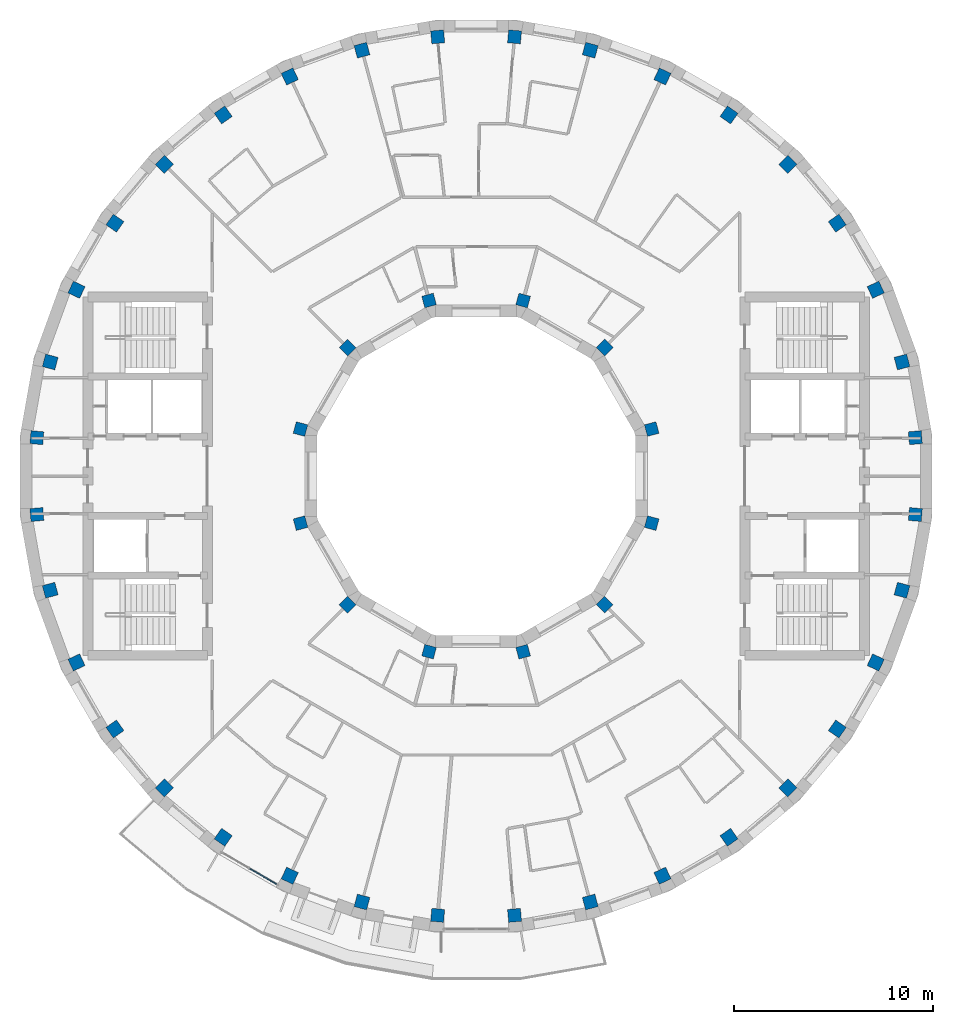
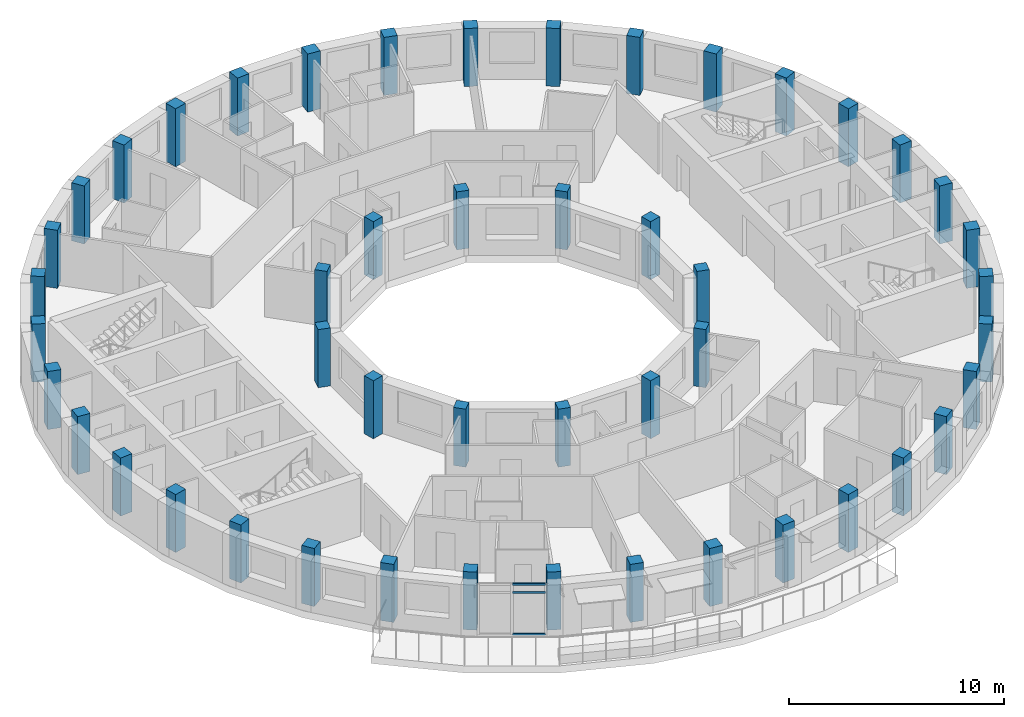
# One storey, part 1 of 12: 48 columns, 3 members, 1 element without a shape of its own.
"""IFC4 building model written with IfcOpenShell, lengths in metres."""

from ifc_helpers import new_model, si_unit, direction, frame, origin, origin_2d, place, context, subcontext, project, spatial, rectangle, extrude, material, layer, layer_set, material_profile, profile_set, type_object, element, aggregate, save


model = new_model("IFC4")

# Units and contexts
model_context = context("Model", 3, precision=1e-05, world=origin(), true_north=direction((0.0, 1.0)))
body_context = subcontext(model_context, "Body", "Model", "MODEL_VIEW")
ifc_project = project(units=[si_unit("LENGTHUNIT", "METRE"), si_unit("AREAUNIT", "SQUARE_METRE"), si_unit("VOLUMEUNIT", "CUBIC_METRE"), si_unit("PLANEANGLEUNIT", "RADIAN"), si_unit("MASSUNIT", "GRAM", prefix="KILO")], contexts=[model_context])

# Site, building, storey
site_placement = place(None, origin())
site = spatial("IfcSite", under=ifc_project, at=site_placement, CompositionType="ELEMENT")
building_placement = place(site_placement, origin())
building = spatial("IfcBuilding", under=site, at=building_placement, Name="Saqina Gate Tower", CompositionType="ELEMENT")
storey_placement = place(building_placement, frame((0.0, 0.0, 269.300048828125)))
storey = spatial("IfcBuildingStorey", under=building, at=storey_placement, Name="L77", CompositionType="ELEMENT", Elevation=269.300048828125)

# Columns
ifc_material_1 = material(Name="Concrete C60/75", Category="concrete")
ifc_material_profile_1 = material_profile(ifc_material_1, rectangle(XDim=0.60009765625, YDim=0.60009765625, at=origin_2d()), Name="RC 600x600")
ifc_profile_set_1 = profile_set([ifc_material_profile_1], Name="Concrete C60/75")
column_type_1 = type_object("IfcColumnType", Name="STR-COL-IN-D", PredefinedType="COLUMN", material=ifc_profile_set_1)
for number, where, z_axis, x_axis, name in (
    (1, (8.821044921875, 2.363525390625, 0.0), (0.0, 0.0, 1.0), (0.965925826289, 0.258819045103, 0.0), "L77-ICL01"),
    (2, (6.45751953125, 6.45751953125, 0.0), (0.0, 0.0, 1.0), (0.707106781187, 0.707106781187, 0.0), "L77-ICL02"),
    (3, (2.363525390625, 8.821044921875, 0.0), (0.0, 0.0, 1.0), (0.258819045103, 0.965925826289, 0.0), "L77-ICL03"),
    (4, (-2.363525390625, 8.821044921875, 0.0), (0.0, 0.0, 1.0), (-0.258819045103, 0.965925826289, 0.0), "L77-ICL04"),
    (5, (-6.45751953125, 6.45751953125, 0.0), (0.0, 0.0, 1.0), (-0.707106781187, 0.707106781187, 0.0), "L77-ICL05"),
    (6, (-8.821044921875, 2.363525390625, 0.0), (0.0, 0.0, 1.0), (-0.965925826289, 0.258819045103, 0.0), "L77-ICL06"),
    (7, (-8.821044921875, -2.363525390625, 0.0), (0.0, 0.0, 1.0), (-0.965925826289, -0.258819045103, 0.0), "L77-ICL07"),
    (8, (-6.45751953125, -6.45751953125, 0.0), (0.0, 0.0, 1.0), (-0.707106781187, -0.707106781187, 0.0), "L77-ICL08"),
    (9, (-2.363525390625, -8.821044921875, 0.0), (0.0, 0.0, 1.0), (-0.258819045103, -0.965925826289, 0.0), "L77-ICL09"),
    (10, (2.363525390625, -8.821044921875, 0.0), (0.0, 0.0, 1.0), (0.258819045103, -0.965925826289, 0.0), "L77-ICL10"),
    (11, (6.45751953125, -6.45751953125, 0.0), (0.0, 0.0, 1.0), (0.707106781187, -0.707106781187, 0.0), "L77-ICL11"),
    (12, (8.821044921875, -2.363525390625, 0.0), (0.0, 0.0, 1.0), (0.965925826289, -0.258819045103, 0.0), "L77-ICL12"),
):
    element("IfcColumn", number, at=place(storey_placement, frame(where, z_axis=z_axis, x_axis=x_axis)), inside=storey, type_object=column_type_1, Name=name, PredefinedType="COLUMN", context=body_context, shape_type="SweptSolid", body=[
        extrude(rectangle(XDim=0.60009765625, YDim=0.60009765625, at=origin_2d()), origin(), (0.0, 0.0, 1.0), 3.300048828125),
    ])
ifc_material_2 = material(Name="Concrete C60/75", Category="concrete")
ifc_material_profile_2 = material_profile(ifc_material_2, rectangle(XDim=0.64990234375, YDim=0.64990234375, at=origin_2d()), Name="RC 650x650")
ifc_profile_set_2 = profile_set([ifc_material_profile_2], Name="Concrete C60/75")
column_type_2 = type_object("IfcColumnType", Name="STR-COL-OUT-D", PredefinedType="COLUMN", material=ifc_profile_set_2)
for number, where, z_axis, x_axis, name in (
    (13, (22.065673828125, 1.930419921875, 0.0), (0.0, 0.0, 1.0), (0.996194698092, 0.087155742748, 0.0), "L77-COL01"),
    (14, (21.395263671875, 5.73291015625, 0.0), (0.0, 0.0, 1.0), (0.965925826289, 0.258819045103, 0.0), "L77-COL02"),
    (15, (20.07470703125, 9.361083984375, 0.0), (0.0, 0.0, 1.0), (0.906307787037, 0.422618261741, 0.0), "L77-COL03"),
    (16, (18.144287109375, 12.704833984375, 0.0), (0.0, 0.0, 1.0), (0.819152044289, 0.573576436351, 0.0), "L77-COL04"),
    (17, (15.662353515625, 15.662353515625, 0.0), (0.0, 0.0, 1.0), (0.707106781187, 0.707106781187, 0.0), "L77-COL05"),
    (18, (12.704833984375, 18.144287109375, 0.0), (0.0, 0.0, 1.0), (0.573576436351, 0.819152044289, 0.0), "L77-COL06"),
    (19, (9.361083984375, 20.07470703125, 0.0), (0.0, 0.0, 1.0), (0.422618261741, 0.906307787037, 0.0), "L77-COL07"),
    (20, (5.73291015625, 21.395263671875, 0.0), (0.0, 0.0, 1.0), (0.258819045103, 0.965925826289, 0.0), "L77-COL08"),
    (21, (1.930419921875, 22.065673828125, 0.0), (0.0, 0.0, 1.0), (0.087155742748, 0.996194698092, 0.0), "L77-COL09"),
    (22, (-1.930419921875, 22.065673828125, 0.0), (0.0, 0.0, 1.0), (-0.087155742748, 0.996194698092, 0.0), "L77-COL10"),
    (23, (-5.73291015625, 21.395263671875, 0.0), (0.0, 0.0, 1.0), (-0.258819045103, 0.965925826289, 0.0), "L77-COL11"),
    (24, (-9.361083984375, 20.07470703125, 0.0), (0.0, 0.0, 1.0), (-0.422618261741, 0.906307787037, 0.0), "L77-COL12"),
    (25, (-12.704833984375, 18.144287109375, 0.0), (0.0, 0.0, 1.0), (-0.573576436351, 0.819152044289, 0.0), "L77-COL13"),
    (26, (-15.662353515625, 15.662353515625, 0.0), (0.0, 0.0, 1.0), (-0.707106781187, 0.707106781187, 0.0), "L77-COL14"),
    (27, (-18.144287109375, 12.704833984375, 0.0), (0.0, 0.0, 1.0), (-0.819152044289, 0.573576436351, 0.0), "L77-COL15"),
    (28, (-20.07470703125, 9.361083984375, 0.0), (0.0, 0.0, 1.0), (-0.906307787037, 0.422618261741, 0.0), "L77-COL16"),
    (29, (-21.395263671875, 5.73291015625, 0.0), (0.0, 0.0, 1.0), (-0.965925826289, 0.258819045103, 0.0), "L77-COL17"),
    (30, (-22.065673828125, 1.930419921875, 0.0), (0.0, 0.0, 1.0), (-0.996194698092, 0.087155742748, 0.0), "L77-COL18"),
    (31, (-22.065673828125, -1.930419921875, 0.0), (0.0, 0.0, 1.0), (-0.996194698092, -0.087155742748, 0.0), "L77-COL19"),
    (32, (-21.395263671875, -5.73291015625, 0.0), (0.0, 0.0, 1.0), (-0.965925826289, -0.258819045103, 0.0), "L77-COL20"),
    (33, (-20.07470703125, -9.361083984375, 0.0), (0.0, 0.0, 1.0), (-0.906307787037, -0.422618261741, 0.0), "L77-COL21"),
    (34, (-18.144287109375, -12.704833984375, 0.0), (0.0, 0.0, 1.0), (-0.819152044289, -0.573576436351, 0.0), "L77-COL22"),
    (35, (-15.662353515625, -15.662353515625, 0.0), (0.0, 0.0, 1.0), (-0.707106781187, -0.707106781187, 0.0), "L77-COL23"),
    (36, (-12.704833984375, -18.144287109375, 0.0), (0.0, 0.0, 1.0), (-0.573576436351, -0.819152044289, 0.0), "L77-COL24"),
    (37, (-9.361083984375, -20.07470703125, 0.0), (0.0, 0.0, 1.0), (-0.422618261741, -0.906307787037, 0.0), "L77-COL25"),
    (38, (-5.73291015625, -21.395263671875, 0.0), (0.0, 0.0, 1.0), (-0.258819045103, -0.965925826289, 0.0), "L77-COL26"),
    (39, (-1.930419921875, -22.065673828125, 0.0), (0.0, 0.0, 1.0), (-0.087155742748, -0.996194698092, 0.0), "L77-COL27"),
    (40, (1.930419921875, -22.065673828125, 0.0), (0.0, 0.0, 1.0), (0.087155742748, -0.996194698092, 0.0), "L77-COL28"),
    (41, (5.73291015625, -21.395263671875, 0.0), (0.0, 0.0, 1.0), (0.258819045103, -0.965925826289, 0.0), "L77-COL29"),
    (42, (9.361083984375, -20.07470703125, 0.0), (0.0, 0.0, 1.0), (0.422618261741, -0.906307787037, 0.0), "L77-COL30"),
    (43, (12.704833984375, -18.144287109375, 0.0), (0.0, 0.0, 1.0), (0.573576436351, -0.819152044289, 0.0), "L77-COL31"),
    (44, (15.662353515625, -15.662353515625, 0.0), (0.0, 0.0, 1.0), (0.707106781187, -0.707106781187, 0.0), "L77-COL32"),
    (45, (18.144287109375, -12.704833984375, 0.0), (0.0, 0.0, 1.0), (0.819152044289, -0.573576436351, 0.0), "L77-COL33"),
    (46, (20.07470703125, -9.361083984375, 0.0), (0.0, 0.0, 1.0), (0.906307787037, -0.422618261741, 0.0), "L77-COL34"),
    (47, (21.395263671875, -5.73291015625, 0.0), (0.0, 0.0, 1.0), (0.965925826289, -0.258819045103, 0.0), "L77-COL35"),
    (48, (22.065673828125, -1.930419921875, 0.0), (0.0, 0.0, 1.0), (0.996194698092, -0.087155742748, 0.0), "L77-COL36"),
):
    element("IfcColumn", number, at=place(storey_placement, frame(where, z_axis=z_axis, x_axis=x_axis)), inside=storey, type_object=column_type_2, Name=name, PredefinedType="COLUMN", context=body_context, shape_type="SweptSolid", body=[
        extrude(rectangle(XDim=0.64990234375, YDim=0.64990234375, at=origin_2d()), origin(), (0.0, 0.0, 1.0), 3.300048828125),
    ])

# Curtain wall, members
ifc_material_3 = material(Name="Aluminium glazing", Category="aluminium")
ifc_layer = layer(ifc_material_3, 0.159912109375)
ifc_layer_set = layer_set([ifc_layer], Name="CWT-4")
curtain_wall_type = type_object("IfcCurtainWallType", Name="CWT-4", PredefinedType="NOTDEFINED", material=ifc_layer_set)
curtain_wall_placement = place(storey_placement, origin())
curtain_wall = element("IfcCurtainWall", 49, at=curtain_wall_placement, inside=storey, type_object=curtain_wall_type, Name="Terrace lounge glazing facet 24", PredefinedType="NOTDEFINED")
ifc_material_4 = material(Name="Aluminium", Category="aluminium")
ifc_material_profile_3 = material_profile(ifc_material_4, rectangle(XDim=0.06005859375, YDim=0.1201171875, at=origin_2d()), Name="Aluminium 60x120")
ifc_profile_set_3 = profile_set([ifc_material_profile_3], Name="Aluminium")
member_type = type_object("IfcMemberType", Name="CWT-4T", PredefinedType="USERDEFINED", material=ifc_profile_set_3)
member_1_placement = place(storey_placement, frame((-11.355224609375, -19.727783203125, 0.030029296875), z_axis=(0.865984396932, -0.500071019227, 0.0), x_axis=(0.500071019227, 0.865984396932, 0.0)))
member_1 = element("IfcMember", 50, at=member_1_placement, type_object=member_type, Name="CW4-24 transom 2.1", ObjectType="TRANSOM", PredefinedType="USERDEFINED", context=body_context, shape_type="SweptSolid", body=[
    extrude(rectangle(XDim=0.06005859375, YDim=0.1201171875, at=origin_2d()), origin(), (0.0, 0.0, 1.0), 1.535888671875),
])
member_2_placement = place(storey_placement, frame((-11.355224609375, -19.727783203125, 2.39990234375), z_axis=(0.865984396932, -0.500071019227, 0.0), x_axis=(0.500071019227, 0.865984396932, 0.0)))
member_2 = element("IfcMember", 51, at=member_2_placement, type_object=member_type, Name="CW4-24 transom 2.2", ObjectType="TRANSOM", PredefinedType="USERDEFINED", context=body_context, shape_type="SweptSolid", body=[
    extrude(rectangle(XDim=0.06005859375, YDim=0.1201171875, at=origin_2d()), origin(), (0.0, 0.0, 1.0), 1.535888671875),
])
member_3_placement = place(storey_placement, frame((-11.355224609375, -19.727783203125, 2.869873046875), z_axis=(0.865984396932, -0.500071019227, 0.0), x_axis=(0.500071019227, 0.865984396932, 0.0)))
member_3 = element("IfcMember", 52, at=member_3_placement, type_object=member_type, Name="CW4-24 transom 2.3", ObjectType="TRANSOM", PredefinedType="USERDEFINED", context=body_context, shape_type="SweptSolid", body=[
    extrude(rectangle(XDim=0.06005859375, YDim=0.1201171875, at=origin_2d()), origin(), (0.0, 0.0, 1.0), 1.535888671875),
])
aggregate(curtain_wall, [member_1, member_2, member_3])

save(model, "model.ifc")
